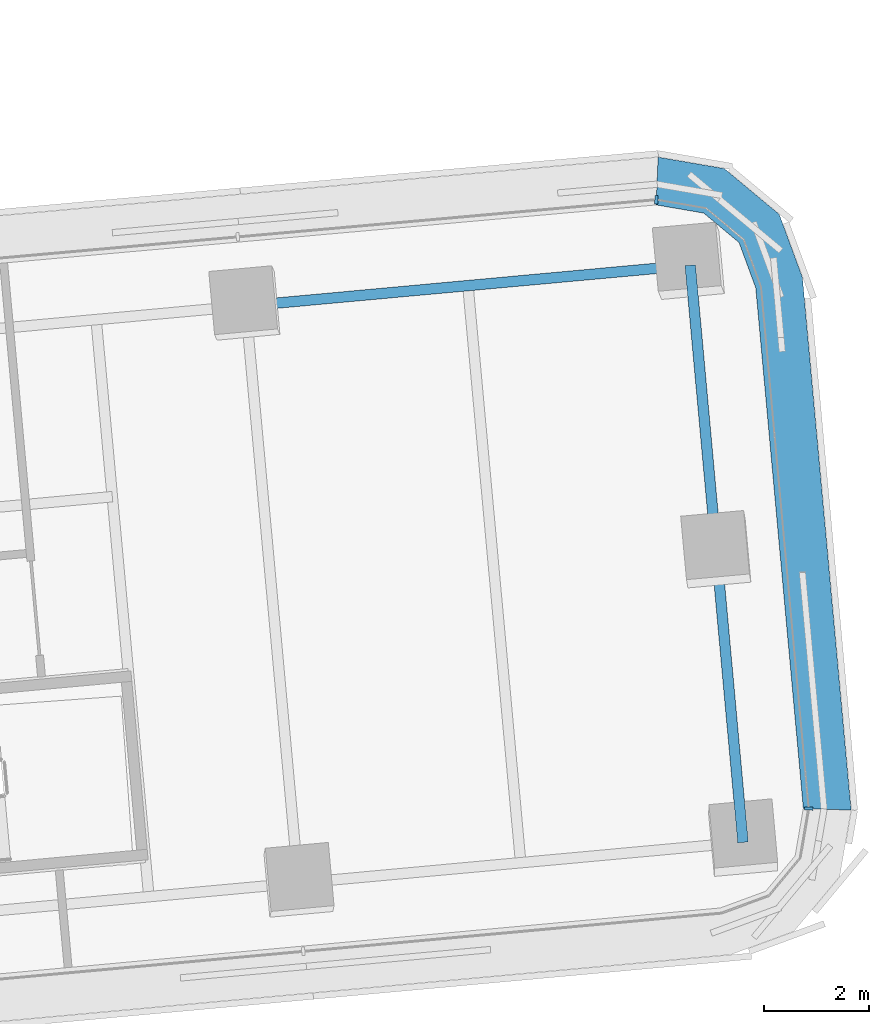
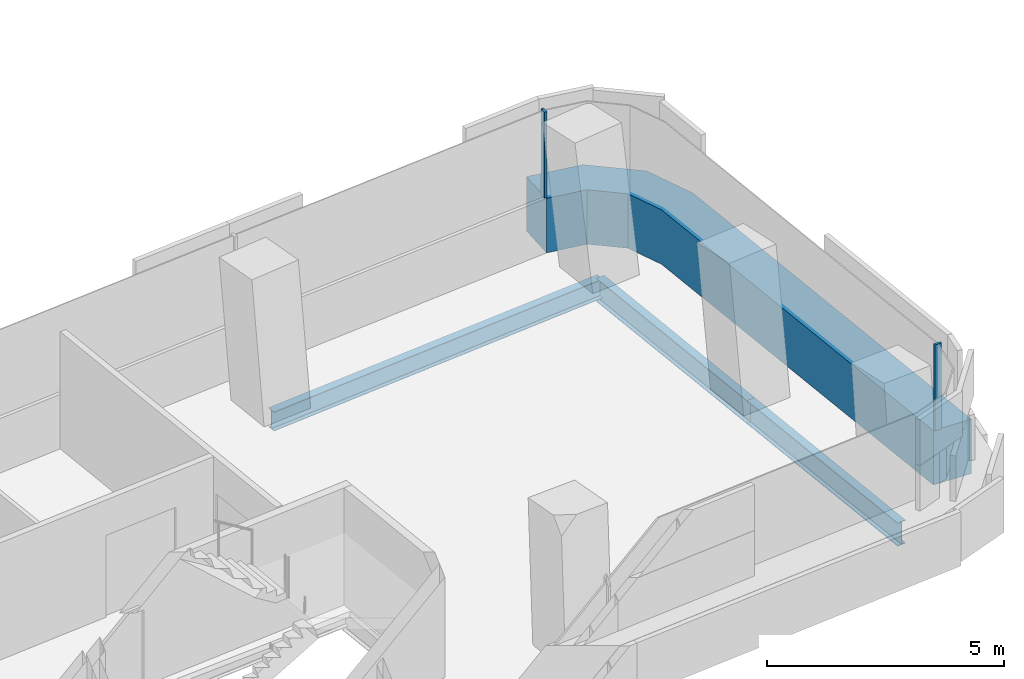
# One storey, part 12 of 31: 3 beams, 3 members, 2 elements without a shape of their own.
"""IFC4 building model written with IfcOpenShell, lengths in metres."""

from ifc_helpers import new_model, si_unit, direction, frame, origin, origin_2d, place, context, subcontext, project, spatial, polyline, rectangle, i_section, outline, extrude, material, layer, layer_set, material_profile, profile_set, type_object, element, aggregate, save


model = new_model("IFC4")

# Units and contexts
model_context = context("Model", 3, precision=1e-05, world=origin(), true_north=direction((0.0, 1.0)))
body_context = subcontext(model_context, "Body", "Model", "MODEL_VIEW")
ifc_project = project(units=[si_unit("LENGTHUNIT", "METRE"), si_unit("AREAUNIT", "SQUARE_METRE"), si_unit("VOLUMEUNIT", "CUBIC_METRE"), si_unit("PLANEANGLEUNIT", "RADIAN"), si_unit("MASSUNIT", "GRAM", prefix="KILO")], contexts=[model_context])

# Site, building, storey
site_placement = place(None, origin())
site = spatial("IfcSite", under=ifc_project, at=site_placement, CompositionType="ELEMENT")
building_placement = place(site_placement, origin())
building = spatial("IfcBuilding", under=site, at=building_placement, Name="Tamarind Cross Interchange Tower", CompositionType="ELEMENT")
storey_placement = place(building_placement, frame((0.0, 0.0, 52.75)))
storey = spatial("IfcBuildingStorey", under=building, at=storey_placement, Name="L11", CompositionType="ELEMENT", Elevation=52.75)

# Beams
ifc_material_1 = material(Name="Steel Q355B", Category="steel")
ifc_material_profile_1 = material_profile(ifc_material_1, i_section(OverallWidth=0.198974609375, OverallDepth=0.49609375, WebThickness=0.009033203125, FlangeThickness=0.013916015625, FilletRadius=0.012939453125, at=origin_2d()), Name="HN 496x199x9x14")
ifc_profile_set_1 = profile_set([ifc_material_profile_1], Name="Steel Q355B")
beam_type_1 = type_object("IfcBeamType", Name="Composite beam HN 496x199x9x14 Q355B", PredefinedType="BEAM", material=ifc_profile_set_1)
beam_1_placement = place(storey_placement, frame((47.166259765625, 7.823974609375, -0.387939453125), z_axis=(-0.995844653941, -0.091068244839, 0.0), x_axis=(0.091068244839, -0.995844653941, 0.0)))
element("IfcBeam", 1, at=beam_1_placement, inside=storey, type_object=beam_type_1, Name="Beam E-edgeep2", PredefinedType="BEAM", context=body_context, shape_type="SweptSolid", body=[
    extrude(i_section(OverallWidth=0.198974609375, OverallDepth=0.49609375, WebThickness=0.009033203125, FlangeThickness=0.013916015625, FilletRadius=0.012939453125, at=origin_2d()), origin(), (0.0, 0.0, 1.0), 8.47412109375),
])
ifc_material_profile_2 = material_profile(ifc_material_1, i_section(OverallWidth=0.199951171875, OverallDepth=0.60009765625, WebThickness=0.010986328125, FlangeThickness=0.01708984375, FilletRadius=0.012939453125, at=origin_2d()), Name="HN 600x200x11x17")
ifc_profile_set_2 = profile_set([ifc_material_profile_2], Name="Steel Q355B")
beam_type_2 = type_object("IfcBeamType", Name="Composite beam HN 600x200x11x17 Q355B", PredefinedType="BEAM", material=ifc_profile_set_2)
beam_2_placement = place(storey_placement, frame((48.16796875, -3.13037109375, -0.43994140625), z_axis=(-0.09108805881, 0.995842841789, 0.0), x_axis=(-0.995842841789, -0.09108805881, 0.0)))
element("IfcBeam", 2, at=beam_2_placement, inside=storey, type_object=beam_type_2, Name="Beam E-tip0", PredefinedType="BEAM", context=body_context, shape_type="SweptSolid", body=[
    extrude(i_section(OverallWidth=0.199951171875, OverallDepth=0.60009765625, WebThickness=0.010986328125, FlangeThickness=0.01708984375, FilletRadius=0.012939453125, at=origin_2d()), origin(), (0.0, 0.0, 1.0), 5.5),
])
beam_3_placement = place(storey_placement, frame((47.6669921875, 2.3466796875, -0.43994140625), z_axis=(-0.091040012466, 0.995847235338, 0.0), x_axis=(-0.995847235338, -0.091040012466, 0.0)))
element("IfcBeam", 3, at=beam_3_placement, inside=storey, type_object=beam_type_2, Name="Beam E-tip1", PredefinedType="BEAM", context=body_context, shape_type="SweptSolid", body=[
    extrude(i_section(OverallWidth=0.199951171875, OverallDepth=0.60009765625, WebThickness=0.010986328125, FlangeThickness=0.01708984375, FilletRadius=0.012939453125, at=origin_2d()), origin(), (0.0, 0.0, 1.0), 5.500244140625),
])

# Curtain wall, members
ifc_material_2 = material(Name="Aluminium 6063-T6", Category="aluminium")
ifc_layer = layer(ifc_material_2, 0.159912109375)
ifc_layer_set = layer_set([ifc_layer], Name="Aluminium 6063-T6")
curtain_wall_type = type_object("IfcCurtainWallType", Name="Office curtain wall, 9.0 m bays", PredefinedType="NOTDEFINED", material=ifc_layer_set)
curtain_wall_1_placement = place(storey_placement, origin())
curtain_wall_1 = element("IfcCurtainWall", 4, at=curtain_wall_1_placement, inside=storey, type_object=curtain_wall_type, Name="CWS-L11-12", PredefinedType="NOTDEFINED")
ifc_material_3 = material(Name="Aluminium and insulated spandrel panel", Category="aluminium")
member_type_1 = type_object("IfcMemberType", Name="Floor-edge blade transom", PredefinedType="USERDEFINED", material=ifc_material_3)
member_1_placement = place(storey_placement, origin())
member_1 = element("IfcMember", 5, at=member_1_placement, type_object=member_type_1, Name="CWT-L11-12", ObjectType="TRANSOM", PredefinedType="USERDEFINED", context=body_context, shape_type="SweptSolid", body=[
    extrude(outline(polyline([(49.313720703125, -2.48388671875), (48.410400390625, 7.39599609375), (48.093994140625, 8.2548828125), (47.421875, 8.814453125), (46.51953125, 8.9697265625), (46.556640625, 9.876708984375), (47.812255859375, 9.660400390625), (48.855224609375, 8.792236328125), (49.2958984375, 7.595947265625), (50.220703125, -2.52001953125), (49.313720703125, -2.48388671875)])), origin(), (0.0, 0.0, 1.0), 1.39990234375),
])
ifc_material_profile_3 = material_profile(ifc_material_2, rectangle(XDim=0.06005859375, YDim=0.159912109375, at=origin_2d()), Name="Mullion CW1")
ifc_profile_set_3 = profile_set([ifc_material_profile_3], Name="Aluminium 6063-T6")
member_type_2 = type_object("IfcMemberType", Name="Mullion CW1", PredefinedType="MULLION", material=ifc_profile_set_3)
member_2_placement = place(storey_placement, frame((49.41455078125, -2.488037109375, 1.39990234375), z_axis=(0.0, 0.0, 1.0), x_axis=(0.039713247455, 0.999211117821, 0.0)))
member_2 = element("IfcMember", 6, at=member_2_placement, type_object=member_type_2, Name="CWM-L11-12-00", PredefinedType="MULLION", context=body_context, shape_type="SweptSolid", body=[
    extrude(rectangle(XDim=0.06005859375, YDim=0.159912109375, at=origin_2d()), origin(), (0.0, 0.0, 1.0), 2.210205078125),
])
aggregate(curtain_wall_1, [member_2, member_1])

# Curtain wall, member
curtain_wall_2_placement = place(storey_placement, origin())
curtain_wall_2 = element("IfcCurtainWall", 7, at=curtain_wall_2_placement, inside=storey, type_object=curtain_wall_type, Name="CWS-L11-13", PredefinedType="NOTDEFINED")
member_3_placement = place(storey_placement, frame((46.523681640625, 9.070556640625, 1.39990234375), z_axis=(0.0, 0.0, 1.0), x_axis=(-0.999163253897, 0.040899780717, 0.0)))
member_3 = element("IfcMember", 8, at=member_3_placement, type_object=member_type_2, Name="CWM-L11-13-00", PredefinedType="MULLION", context=body_context, shape_type="SweptSolid", body=[
    extrude(rectangle(XDim=0.06005859375, YDim=0.159912109375, at=origin_2d()), origin(), (0.0, 0.0, 1.0), 2.210205078125),
])
aggregate(curtain_wall_2, [member_3])

save(model, "model.ifc")
